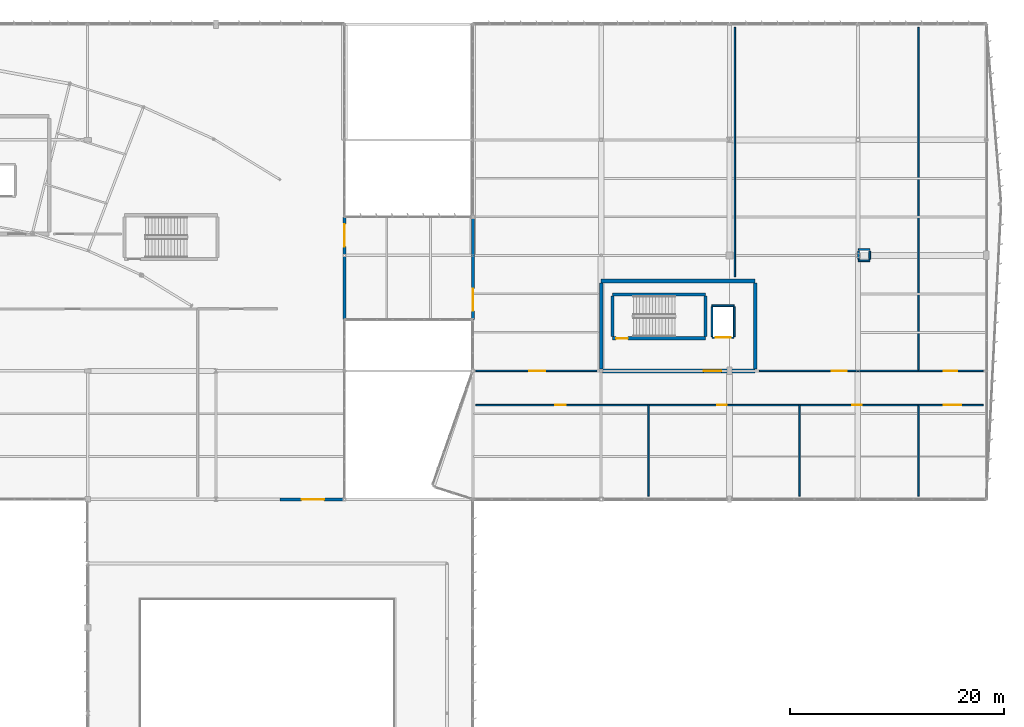
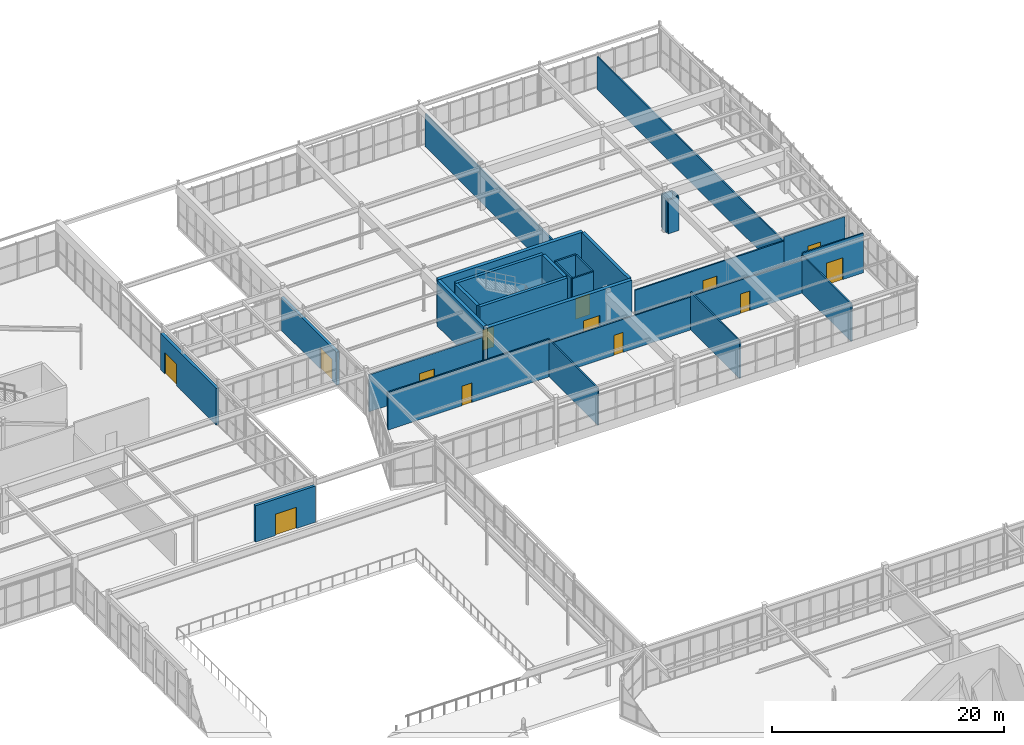
# One storey, part 162 of 186: 31 walls, 13 doors, 13 openings.
"""IFC4 building model written with IfcOpenShell, lengths in metres."""

from ifc_helpers import new_model, si_unit, direction, frame, frame_2d, origin, place, context, subcontext, project, spatial, rectangle, extrude, material, layer, layer_set, type_object, element, fill, save


model = new_model("IFC4")

# Units and contexts
model_context = context("Model", 3, precision=1e-05, world=origin(), true_north=direction((0.0, 1.0)))
body_context = subcontext(model_context, "Body", "Model", "MODEL_VIEW")
ifc_project = project(units=[si_unit("LENGTHUNIT", "METRE"), si_unit("AREAUNIT", "SQUARE_METRE"), si_unit("VOLUMEUNIT", "CUBIC_METRE"), si_unit("PLANEANGLEUNIT", "RADIAN"), si_unit("MASSUNIT", "GRAM", prefix="KILO")], contexts=[model_context])

# Site, building, storey
site_placement = place(None, origin())
site = spatial("IfcSite", under=ifc_project, at=site_placement, CompositionType="ELEMENT")
building_placement = place(site_placement, origin())
building = spatial("IfcBuilding", under=site, at=building_placement, Name="Tarnwether General Hospital", CompositionType="ELEMENT")
storey_placement = place(building_placement, frame((0.0, 0.0, 9.60009765625)))
storey = spatial("IfcBuildingStorey", under=building, at=storey_placement, Name="L02", CompositionType="ELEMENT", Elevation=9.60009765625)

# Wall, opening, door
ifc_material_1 = material(Name="Precast concrete 40 MPa", Category="concrete")
ifc_layer_1 = layer(ifc_material_1, 0.280029296875)
ifc_layer_set_1 = layer_set([ifc_layer_1], Name="Precast concrete 40 MPa")
wall_type_1 = type_object("IfcWallType", Name="WL-EX280", PredefinedType="STANDARD", material=ifc_layer_set_1)
wall_1_placement = place(storey_placement, frame((126.0, 81.60009765625, 0.0), z_axis=(0.0, 0.0, 1.0), x_axis=(1.0, 0.0, 0.0)))
wall_1 = element("IfcWall", 1, at=wall_1_placement, inside=storey, type_object=wall_type_1, Name="L02 Gallery North Link Portal EW-L02-0320", PredefinedType="STANDARD", context=body_context, shape_type="SweptSolid", body=[
    extrude(rectangle(XDim=6.0, YDim=0.280029296875, at=frame_2d((3.0, 0.0))), origin(), (0.0, 0.0, 1.0), 3.827880859375),
])
opening_1_placement = place(wall_1_placement, frame((2.0, 0.0, 0.0)))
opening_1 = element("IfcOpeningElement", 2, at=opening_1_placement, cuts=wall_1, Name="Opening ED-09", PredefinedType="OPENING", context=body_context, shape_type="SweptSolid", body=[
    extrude(rectangle(XDim=2.10009765625, YDim=2.25, at=frame_2d((1.050048828125, 1.125))), frame((0.0, 0.14990234375, 0.0), z_axis=(0.0, -1.0, 0.0), x_axis=(1.0, 0.0, 0.0)), (0.0, 0.0, 1.0), 0.300048828125),
])
ifc_material_2 = material(Name="Anodised aluminium", Category="aluminium")
door_type_1 = type_object("IfcDoorType", Name="DR-HP01", OperationType="NOTDEFINED", PredefinedType="DOOR", material=ifc_material_2)
door_1_placement = place(opening_1_placement, origin())
door_1 = element("IfcDoor", 3, at=door_1_placement, inside=storey, type_object=door_type_1, Name="L02 Gallery to Perioperative Link Door ED-L02-0042", OperationType="DOUBLE_DOOR_SINGLE_SWING", OverallHeight=2.25, OverallWidth=2.10009765625, PredefinedType="DOOR", context=body_context, shape_type="SweptSolid", body=[
    extrude(rectangle(XDim=2.10009765625, YDim=2.25, at=frame_2d((1.050048828125, 1.125))), frame((0.0, 0.02490234375, 0.0), z_axis=(0.0, -1.0, 0.0), x_axis=(1.0, 0.0, 0.0)), (0.0, 0.0, 1.0), 0.050048828125),
])
fill(opening_1, door_1)

wall_2_placement = place(storey_placement, frame((132.0, 108.0, 0.0), z_axis=(0.0, 0.0, 1.0), x_axis=(0.0, -1.0, 0.0)))
wall_2 = element("IfcWall", 4, at=wall_2_placement, inside=storey, type_object=wall_type_1, Name="L02 Bridge West Threshold EW-L02-0323", PredefinedType="STANDARD", context=body_context, shape_type="SweptSolid", body=[
    extrude(rectangle(XDim=9.60009765625, YDim=0.280029296875, at=frame_2d((4.800048828125, 0.0))), origin(), (0.0, 0.0, 1.0), 3.86279296875),
])
opening_2_placement = place(wall_2_placement, frame((0.680908203125, 0.0, 0.0)))
opening_2 = element("IfcOpeningElement", 5, at=opening_2_placement, cuts=wall_2, Name="Opening ED-09", PredefinedType="OPENING", context=body_context, shape_type="SweptSolid", body=[
    extrude(rectangle(XDim=2.10009765625, YDim=2.25, at=frame_2d((1.050048828125, 1.125))), frame((0.0, 0.14990234375, 0.0), z_axis=(0.0, -1.0, 0.0), x_axis=(1.0, 0.0, 0.0)), (0.0, 0.0, 1.0), 0.300048828125),
])
door_2_placement = place(opening_2_placement, origin())
door_2 = element("IfcDoor", 6, at=door_2_placement, inside=storey, type_object=door_type_1, Name="L02 Bridge West Door ED-L02-0045", OperationType="DOUBLE_DOOR_SINGLE_SWING", OverallHeight=2.25, OverallWidth=2.10009765625, PredefinedType="DOOR", context=body_context, shape_type="SweptSolid", body=[
    extrude(rectangle(XDim=2.10009765625, YDim=2.25, at=frame_2d((1.050048828125, 1.125))), frame((0.0, 0.02490234375, 0.0), z_axis=(0.0, -1.0, 0.0), x_axis=(1.0, 0.0, 0.0)), (0.0, 0.0, 1.0), 0.050048828125),
])
fill(opening_2, door_2)

wall_3_placement = place(storey_placement, frame((144.0, 98.39990234375, 0.0), z_axis=(0.0, 0.0, 1.0), x_axis=(0.0, 1.0, 0.0)))
wall_3 = element("IfcWall", 7, at=wall_3_placement, inside=storey, type_object=wall_type_1, Name="L02 Bridge East Threshold EW-L02-0324", PredefinedType="STANDARD", context=body_context, shape_type="SweptSolid", body=[
    extrude(rectangle(XDim=9.60009765625, YDim=0.280029296875, at=frame_2d((4.800048828125, 0.0))), origin(), (0.0, 0.0, 1.0), 3.47998046875),
])
opening_3_placement = place(wall_3_placement, frame((0.800048828125, 0.0, 0.0)))
opening_3 = element("IfcOpeningElement", 8, at=opening_3_placement, cuts=wall_3, Name="Opening ED-09", PredefinedType="OPENING", context=body_context, shape_type="SweptSolid", body=[
    extrude(rectangle(XDim=2.10009765625, YDim=2.25, at=frame_2d((1.050048828125, 1.125))), frame((0.0, 0.14990234375, 0.0), z_axis=(0.0, -1.0, 0.0), x_axis=(1.0, 0.0, 0.0)), (0.0, 0.0, 1.0), 0.300048828125),
])
door_3_placement = place(opening_3_placement, origin())
door_3 = element("IfcDoor", 9, at=door_3_placement, inside=storey, type_object=door_type_1, Name="L02 Bridge East Door ED-L02-0046", OperationType="DOUBLE_DOOR_SINGLE_SWING", OverallHeight=2.25, OverallWidth=2.10009765625, PredefinedType="DOOR", context=body_context, shape_type="SweptSolid", body=[
    extrude(rectangle(XDim=2.10009765625, YDim=2.25, at=frame_2d((1.050048828125, 1.125))), frame((0.0, 0.02490234375, 0.0), z_axis=(0.0, -1.0, 0.0), x_axis=(1.0, 0.0, 0.0)), (0.0, 0.0, 1.0), 0.050048828125),
])
fill(opening_3, door_3)

ifc_material_3 = material(Name="Gypsum plasterboard")
ifc_layer_2 = layer(ifc_material_3, 0.139892578125)
ifc_layer_set_2 = layer_set([ifc_layer_2], Name="Gypsum plasterboard")
wall_type_2 = type_object("IfcWallType", Name="WL-PT140", PredefinedType="PARTITIONING", material=ifc_layer_set_2)
wall_4_placement = place(storey_placement, frame((144.300048828125, 90.39990234375, 0.0), z_axis=(0.0, 0.0, 1.0), x_axis=(1.0, 0.0, 0.0)))
wall_4 = element("IfcWall", 10, at=wall_4_placement, inside=storey, type_object=wall_type_2, Name="Interior Partition PT-L02-0290", PredefinedType="PARTITIONING", context=body_context, shape_type="SweptSolid", body=[
    extrude(rectangle(XDim=16.135986328125, YDim=0.139892578125, at=frame_2d((8.06787109375, 0.0))), origin(), (0.0, 0.0, 1.0), 3.972900390625),
])
opening_4_placement = place(wall_4_placement, frame((7.41796875, 0.0, 0.0)))
opening_4 = element("IfcOpeningElement", 11, at=opening_4_placement, cuts=wall_4, Name="Opening D-10", PredefinedType="OPENING", context=body_context, shape_type="SweptSolid", body=[
    extrude(rectangle(XDim=0.9599609375, YDim=2.06005859375, at=frame_2d((0.47998046875, 1.030029296875))), frame((0.0, 0.080078125, 0.0), z_axis=(0.0, -1.0, 0.0), x_axis=(1.0, 0.0, 0.0)), (0.0, 0.0, 1.0), 0.159912109375),
])
ifc_material_4 = material(Name="Anodised aluminium", Category="aluminium")
door_type_2 = type_object("IfcDoorType", Name="DR-IN10", OperationType="NOTDEFINED", PredefinedType="DOOR", material=ifc_material_4)
door_4_placement = place(opening_4_placement, origin())
door_4 = element("IfcDoor", 12, at=door_4_placement, inside=storey, type_object=door_type_2, Name="Interior Door DR-L02-0161", OperationType="SINGLE_SWING_LEFT", OverallHeight=2.06005859375, OverallWidth=0.9599609375, PredefinedType="DOOR", context=body_context, shape_type="SweptSolid", body=[
    extrude(rectangle(XDim=0.9599609375, YDim=2.06005859375, at=frame_2d((0.47998046875, 1.030029296875))), frame((0.0, 0.02490234375, 0.0), z_axis=(0.0, -1.0, 0.0), x_axis=(1.0, 0.0, 0.0)), (0.0, 0.0, 1.0), 0.050048828125),
])
fill(opening_4, door_4)

# Wall
wall_5_placement = place(storey_placement, frame((160.43603515625, 81.89990234375, 0.0), z_axis=(0.0, 0.0, 1.0), x_axis=(0.0, 1.0, 0.0)))
element("IfcWall", 13, at=wall_5_placement, inside=storey, type_object=wall_type_2, Name="Interior Partition PT-L02-0291", PredefinedType="PARTITIONING", context=body_context, shape_type="SweptSolid", body=[
    extrude(rectangle(XDim=8.5, YDim=0.139892578125, at=frame_2d((4.25, 0.0))), origin(), (0.0, 0.0, 1.0), 3.90185546875),
])

# Wall, opening, door
wall_6_placement = place(storey_placement, frame((160.43603515625, 90.39990234375, 0.0), z_axis=(0.0, 0.0, 1.0), x_axis=(1.0, 0.0, 0.0)))
wall_6 = element("IfcWall", 14, at=wall_6_placement, inside=storey, type_object=wall_type_2, Name="Interior Partition PT-L02-0292", PredefinedType="PARTITIONING", context=body_context, shape_type="SweptSolid", body=[
    extrude(rectangle(XDim=14.118896484375, YDim=0.139892578125, at=frame_2d((7.0595703125, 0.0))), origin(), (0.0, 0.0, 1.0), 3.47998046875),
])
opening_5_placement = place(wall_6_placement, frame((6.409912109375, 0.0, 0.0)))
opening_5 = element("IfcOpeningElement", 15, at=opening_5_placement, cuts=wall_6, Name="Opening D-11", PredefinedType="OPENING", context=body_context, shape_type="SweptSolid", body=[
    extrude(rectangle(XDim=0.89990234375, YDim=2.10009765625, at=frame_2d((0.449951171875, 1.050048828125))), frame((0.0, 0.080078125, 0.0), z_axis=(0.0, -1.0, 0.0), x_axis=(1.0, 0.0, 0.0)), (0.0, 0.0, 1.0), 0.159912109375),
])
ifc_material_5 = material(Name="Anodised aluminium", Category="aluminium")
door_type_3 = type_object("IfcDoorType", Name="DR-IN11", OperationType="NOTDEFINED", PredefinedType="DOOR", material=ifc_material_5)
door_5_placement = place(opening_5_placement, origin())
door_5 = element("IfcDoor", 16, at=door_5_placement, inside=storey, type_object=door_type_3, Name="Interior Door DR-L02-0162", OperationType="SINGLE_SWING_RIGHT", OverallHeight=2.10009765625, OverallWidth=0.89990234375, PredefinedType="DOOR", context=body_context, shape_type="SweptSolid", body=[
    extrude(rectangle(XDim=0.89990234375, YDim=2.10009765625, at=frame_2d((0.449951171875, 1.050048828125))), frame((0.0, 0.02490234375, 0.0), z_axis=(0.0, -1.0, 0.0), x_axis=(1.0, 0.0, 0.0)), (0.0, 0.0, 1.0), 0.050048828125),
])
fill(opening_5, door_5)

# Wall
wall_7_placement = place(storey_placement, frame((174.554931640625, 81.89990234375, 0.0), z_axis=(0.0, 0.0, 1.0), x_axis=(0.0, 1.0, 0.0)))
element("IfcWall", 17, at=wall_7_placement, inside=storey, type_object=wall_type_2, Name="Interior Partition PT-L02-0293", PredefinedType="PARTITIONING", context=body_context, shape_type="SweptSolid", body=[
    extrude(rectangle(XDim=8.5, YDim=0.139892578125, at=frame_2d((4.25, 0.0))), origin(), (0.0, 0.0, 1.0), 3.96484375),
])

# Wall, opening, door
wall_8_placement = place(storey_placement, frame((174.554931640625, 90.39990234375, 0.0), z_axis=(0.0, 0.0, 1.0), x_axis=(1.0, 0.0, 0.0)))
wall_8 = element("IfcWall", 18, at=wall_8_placement, inside=storey, type_object=wall_type_2, Name="Interior Partition PT-L02-0294", PredefinedType="PARTITIONING", context=body_context, shape_type="SweptSolid", body=[
    extrude(rectangle(XDim=11.093994140625, YDim=0.139892578125, at=frame_2d((5.546875, 0.0))), origin(), (0.0, 0.0, 1.0), 3.52490234375),
])
opening_6_placement = place(wall_8_placement, frame((4.89697265625, 0.0, 0.0)))
opening_6 = element("IfcOpeningElement", 19, at=opening_6_placement, cuts=wall_8, Name="Opening D-12", PredefinedType="OPENING", context=body_context, shape_type="SweptSolid", body=[
    extrude(rectangle(XDim=0.919921875, YDim=2.0400390625, at=frame_2d((0.4599609375, 1.02001953125))), frame((0.0, 0.080078125, 0.0), z_axis=(0.0, -1.0, 0.0), x_axis=(1.0, 0.0, 0.0)), (0.0, 0.0, 1.0), 0.159912109375),
])
ifc_material_6 = material(Name="Anodised aluminium", Category="aluminium")
door_type_4 = type_object("IfcDoorType", Name="DR-IN12", OperationType="NOTDEFINED", PredefinedType="DOOR", material=ifc_material_6)
door_6_placement = place(opening_6_placement, origin())
door_6 = element("IfcDoor", 20, at=door_6_placement, inside=storey, type_object=door_type_4, Name="Interior Door DR-L02-0163", OperationType="SINGLE_SWING_LEFT", OverallHeight=2.0400390625, OverallWidth=0.919921875, PredefinedType="DOOR", context=body_context, shape_type="SweptSolid", body=[
    extrude(rectangle(XDim=0.919921875, YDim=2.0400390625, at=frame_2d((0.4599609375, 1.02001953125))), frame((0.0, 0.02490234375, 0.0), z_axis=(0.0, -1.0, 0.0), x_axis=(1.0, 0.0, 0.0)), (0.0, 0.0, 1.0), 0.050048828125),
])
fill(opening_6, door_6)

# Wall
wall_9_placement = place(storey_placement, frame((185.64892578125, 81.89990234375, 0.0), z_axis=(0.0, 0.0, 1.0), x_axis=(0.0, 1.0, 0.0)))
element("IfcWall", 21, at=wall_9_placement, inside=storey, type_object=wall_type_2, Name="Interior Partition PT-L02-0295", PredefinedType="PARTITIONING", context=body_context, shape_type="SweptSolid", body=[
    extrude(rectangle(XDim=8.5, YDim=0.139892578125, at=frame_2d((4.25, 0.0))), origin(), (0.0, 0.0, 1.0), 3.968017578125),
])

# Wall, opening, door
wall_10_placement = place(storey_placement, frame((185.64892578125, 90.39990234375, 0.0), z_axis=(0.0, 0.0, 1.0), x_axis=(1.0, 0.0, 0.0)))
wall_10 = element("IfcWall", 22, at=wall_10_placement, inside=storey, type_object=wall_type_2, Name="Interior Partition PT-L02-0296", PredefinedType="PARTITIONING", context=body_context, shape_type="SweptSolid", body=[
    extrude(rectangle(XDim=6.051025390625, YDim=0.139892578125, at=frame_2d((3.025390625, 0.0))), origin(), (0.0, 0.0, 1.0), 4.1748046875),
])
opening_7_placement = place(wall_10_placement, frame((2.3759765625, 0.0, 0.0)))
opening_7 = element("IfcOpeningElement", 23, at=opening_7_placement, cuts=wall_10, Name="Opening SD-02", PredefinedType="OPENING", context=body_context, shape_type="SweptSolid", body=[
    extrude(rectangle(XDim=1.6201171875, YDim=2.300048828125, at=frame_2d((0.81005859375, 1.14990234375))), frame((0.0, 0.080078125, 0.0), z_axis=(0.0, -1.0, 0.0), x_axis=(1.0, 0.0, 0.0)), (0.0, 0.0, 1.0), 0.159912109375),
])
ifc_material_7 = material(Name="Anodised aluminium", Category="aluminium")
door_type_5 = type_object("IfcDoorType", Name="DR-OR02", OperationType="NOTDEFINED", PredefinedType="DOOR", material=ifc_material_7)
door_7_placement = place(opening_7_placement, origin())
door_7 = element("IfcDoor", 24, at=door_7_placement, inside=storey, type_object=door_type_5, Name="Interior Door DR-L02-0164", OperationType="SLIDING_TO_RIGHT", OverallHeight=2.300048828125, OverallWidth=1.6201171875, PredefinedType="DOOR", context=body_context, shape_type="SweptSolid", body=[
    extrude(rectangle(XDim=1.6201171875, YDim=2.300048828125, at=frame_2d((0.81005859375, 1.14990234375))), frame((0.0, 0.02490234375, 0.0), z_axis=(0.0, -1.0, 0.0), x_axis=(1.0, 0.0, 0.0)), (0.0, 0.0, 1.0), 0.050048828125),
])
fill(opening_7, door_7)

wall_11_placement = place(storey_placement, frame((144.300048828125, 93.60009765625, 0.0), z_axis=(0.0, 0.0, 1.0), x_axis=(1.0, 0.0, 0.0)))
wall_11 = element("IfcWall", 25, at=wall_11_placement, inside=storey, type_object=wall_type_2, Name="Interior Partition PT-L02-0297", PredefinedType="PARTITIONING", context=body_context, shape_type="SweptSolid", body=[
    extrude(rectangle(XDim=11.300048828125, YDim=0.139892578125, at=frame_2d((5.64990234375, 0.0))), origin(), (0.0, 0.0, 1.0), 3.89697265625),
])
opening_8_placement = place(wall_11_placement, frame((5.0, 0.0, 0.0)))
opening_8 = element("IfcOpeningElement", 26, at=opening_8_placement, cuts=wall_11, Name="Opening SD-03", PredefinedType="OPENING", context=body_context, shape_type="SweptSolid", body=[
    extrude(rectangle(XDim=1.47998046875, YDim=2.260009765625, at=frame_2d((0.739990234375, 1.1298828125))), frame((0.0, 0.080078125, 0.0), z_axis=(0.0, -1.0, 0.0), x_axis=(1.0, 0.0, 0.0)), (0.0, 0.0, 1.0), 0.159912109375),
])
ifc_material_8 = material(Name="Anodised aluminium", Category="aluminium")
door_type_6 = type_object("IfcDoorType", Name="DR-OR03", OperationType="NOTDEFINED", PredefinedType="DOOR", material=ifc_material_8)
door_8_placement = place(opening_8_placement, origin())
door_8 = element("IfcDoor", 27, at=door_8_placement, inside=storey, type_object=door_type_6, Name="Interior Door DR-L02-0165", OperationType="SLIDING_TO_LEFT", OverallHeight=2.260009765625, OverallWidth=1.47998046875, PredefinedType="DOOR", context=body_context, shape_type="SweptSolid", body=[
    extrude(rectangle(XDim=1.47998046875, YDim=2.260009765625, at=frame_2d((0.739990234375, 1.1298828125))), frame((0.0, 0.02490234375, 0.0), z_axis=(0.0, -1.0, 0.0), x_axis=(1.0, 0.0, 0.0)), (0.0, 0.0, 1.0), 0.050048828125),
])
fill(opening_8, door_8)

# Wall
wall_12_placement = place(storey_placement, frame((168.50390625, 102.39990234375, 0.0), z_axis=(0.0, 0.0, 1.0), x_axis=(0.0, 1.0, 0.0)))
element("IfcWall", 28, at=wall_12_placement, inside=storey, type_object=wall_type_2, Name="Interior Partition PT-L02-0298", PredefinedType="PARTITIONING", context=body_context, shape_type="SweptSolid", body=[
    extrude(rectangle(XDim=23.300048828125, YDim=0.139892578125, at=frame_2d((11.64990234375, 0.0))), origin(), (0.0, 0.0, 1.0), 3.474853515625),
])

# Wall, opening, door
wall_13_placement = place(storey_placement, frame((170.800048828125, 93.60009765625, 0.0), z_axis=(0.0, 0.0, 1.0), x_axis=(1.0, 0.0, 0.0)))
wall_13 = element("IfcWall", 29, at=wall_13_placement, inside=storey, type_object=wall_type_2, Name="Interior Partition PT-L02-0299", PredefinedType="PARTITIONING", context=body_context, shape_type="SweptSolid", body=[
    extrude(rectangle(XDim=14.848876953125, YDim=0.139892578125, at=frame_2d((7.42431640625, 0.0))), origin(), (0.0, 0.0, 1.0), 3.52490234375),
])
opening_9_placement = place(wall_13_placement, frame((6.77392578125, 0.0, 0.0)))
opening_9 = element("IfcOpeningElement", 30, at=opening_9_placement, cuts=wall_13, Name="Opening D-02", PredefinedType="OPENING", context=body_context, shape_type="SweptSolid", body=[
    extrude(rectangle(XDim=1.360107421875, YDim=2.179931640625, at=frame_2d((0.68017578125, 1.08984375))), frame((0.0, 0.080078125, 0.0), z_axis=(0.0, -1.0, 0.0), x_axis=(1.0, 0.0, 0.0)), (0.0, 0.0, 1.0), 0.159912109375),
])
ifc_material_9 = material(Name="Anodised aluminium", Category="aluminium")
door_type_7 = type_object("IfcDoorType", Name="DR-IN02", OperationType="NOTDEFINED", PredefinedType="DOOR", material=ifc_material_9)
door_9_placement = place(opening_9_placement, origin())
door_9 = element("IfcDoor", 31, at=door_9_placement, inside=storey, type_object=door_type_7, Name="Interior Door DR-L02-0166", OperationType="SINGLE_SWING_RIGHT", OverallHeight=2.179931640625, OverallWidth=1.360107421875, PredefinedType="DOOR", context=body_context, shape_type="SweptSolid", body=[
    extrude(rectangle(XDim=1.360107421875, YDim=2.179931640625, at=frame_2d((0.68017578125, 1.08984375))), frame((0.0, 0.02490234375, 0.0), z_axis=(0.0, -1.0, 0.0), x_axis=(1.0, 0.0, 0.0)), (0.0, 0.0, 1.0), 0.050048828125),
])
fill(opening_9, door_9)

# Wall
wall_14_placement = place(storey_placement, frame((185.64892578125, 93.60009765625, 0.0), z_axis=(0.0, 0.0, 1.0), x_axis=(0.0, 1.0, 0.0)))
element("IfcWall", 32, at=wall_14_placement, inside=storey, type_object=wall_type_2, Name="Interior Partition PT-L02-0300", PredefinedType="PARTITIONING", context=body_context, shape_type="SweptSolid", body=[
    extrude(rectangle(XDim=32.099853515625, YDim=0.139892578125, at=frame_2d((16.0498046875, 0.0))), origin(), (0.0, 0.0, 1.0), 3.474853515625),
])

# Wall, opening, door
wall_15_placement = place(storey_placement, frame((185.64892578125, 93.60009765625, 0.0), z_axis=(0.0, 0.0, 1.0), x_axis=(1.0, 0.0, 0.0)))
wall_15 = element("IfcWall", 33, at=wall_15_placement, inside=storey, type_object=wall_type_2, Name="Interior Partition PT-L02-0301", PredefinedType="PARTITIONING", context=body_context, shape_type="SweptSolid", body=[
    extrude(rectangle(XDim=6.051025390625, YDim=0.139892578125, at=frame_2d((3.025390625, 0.0))), origin(), (0.0, 0.0, 1.0), 3.970947265625),
])
opening_10_placement = place(wall_15_placement, frame((2.3759765625, 0.0, 0.0)))
opening_10 = element("IfcOpeningElement", 34, at=opening_10_placement, cuts=wall_15, Name="Opening D-04", PredefinedType="OPENING", context=body_context, shape_type="SweptSolid", body=[
    extrude(rectangle(XDim=1.260009765625, YDim=2.139892578125, at=frame_2d((0.6298828125, 1.06982421875))), frame((0.0, 0.080078125, 0.0), z_axis=(0.0, -1.0, 0.0), x_axis=(1.0, 0.0, 0.0)), (0.0, 0.0, 1.0), 0.159912109375),
])
ifc_material_10 = material(Name="Anodised aluminium", Category="aluminium")
door_type_8 = type_object("IfcDoorType", Name="DR-IN04", OperationType="NOTDEFINED", PredefinedType="DOOR", material=ifc_material_10)
door_10_placement = place(opening_10_placement, origin())
door_10 = element("IfcDoor", 35, at=door_10_placement, inside=storey, type_object=door_type_8, Name="Interior Door DR-L02-0167", OperationType="SINGLE_SWING_LEFT", OverallHeight=2.139892578125, OverallWidth=1.260009765625, PredefinedType="DOOR", context=body_context, shape_type="SweptSolid", body=[
    extrude(rectangle(XDim=1.260009765625, YDim=2.139892578125, at=frame_2d((0.6298828125, 1.06982421875))), frame((0.0, 0.02490234375, 0.0), z_axis=(0.0, -1.0, 0.0), x_axis=(1.0, 0.0, 0.0)), (0.0, 0.0, 1.0), 0.050048828125),
])
fill(opening_10, door_10)

# Walls
ifc_material_11 = material(Name="Gypsum plasterboard")
ifc_layer_3 = layer(ifc_material_11, 0.159912109375)
ifc_layer_set_3 = layer_set([ifc_layer_3], Name="Gypsum plasterboard")
wall_type_3 = type_object("IfcWallType", Name="WL-PT160", PredefinedType="PARTITIONING", material=ifc_layer_set_3)
for number, where, z_axis, x_axis, name in (
    (36, (180.050048828125, 103.889892578125, 0.0), (0.0, 0.0, 1.0), (1.0, 0.0, 0.0), "Service Riser Enclosure SL-L02-V6N2 S"),
    (37, (181.110107421875, 104.949951171875, 0.0), (0.0, 0.0, 1.0), (-1.0, 0.0, 0.0), "Service Riser Enclosure SL-L02-V6N2 N"),
):
    element("IfcWall", number, at=place(storey_placement, frame(where, z_axis=z_axis, x_axis=x_axis)), inside=storey, type_object=wall_type_3, Name=name, PredefinedType="PARTITIONING", context=body_context, shape_type="SweptSolid", body=[
        extrude(rectangle(XDim=1.06005859375, YDim=0.159912109375, at=frame_2d((0.530029296875, 0.0))), origin(), (0.0, 0.0, 1.0), 3.5498046875),
    ])
for number, where, z_axis, x_axis, name in (
    (38, (180.050048828125, 104.7900390625, 0.0), (0.0, 0.0, 1.0), (0.0, -1.0, 0.0), "Service Riser Enclosure SL-L02-V6N2 W"),
    (39, (181.110107421875, 104.050048828125, 0.0), (0.0, 0.0, 1.0), (0.0, 1.0, 0.0), "Service Riser Enclosure SL-L02-V6N2 E"),
):
    element("IfcWall", number, at=place(storey_placement, frame(where, z_axis=z_axis, x_axis=x_axis)), inside=storey, type_object=wall_type_3, Name=name, PredefinedType="PARTITIONING", context=body_context, shape_type="SweptSolid", body=[
        extrude(rectangle(XDim=0.739990234375, YDim=0.159912109375, at=frame_2d((0.3701171875, 0.0))), origin(), (0.0, 0.0, 1.0), 3.5498046875),
    ])

# Wall, opening, door
wall_16_placement = place(storey_placement, frame((166.360107421875, 96.7099609375, 0.0), z_axis=(0.0, 0.0, 1.0), x_axis=(1.0, 0.0, 0.0)))
wall_16 = element("IfcWall", 40, at=wall_16_placement, inside=storey, type_object=wall_type_3, Name="Lift L-06 Shaft Wall LSH-L-06-L02-S", PredefinedType="PARTITIONING", context=body_context, shape_type="SweptSolid", body=[
    extrude(rectangle(XDim=2.079833984375, YDim=0.159912109375, at=frame_2d((1.0400390625, 0.0))), origin(), (0.0, 0.0, 1.0), 4.429931640625),
])
opening_11_placement = place(wall_16_placement, frame((0.340087890625, 0.0, 0.0)))
opening_11 = element("IfcOpeningElement", 41, at=opening_11_placement, cuts=wall_16, Name="Opening LD-01", PredefinedType="OPENING", context=body_context, shape_type="SweptSolid", body=[
    extrude(rectangle(XDim=1.39990234375, YDim=2.199951171875, at=frame_2d((0.699951171875, 1.10009765625))), frame((0.0, 0.08984375, 0.0), z_axis=(0.0, -1.0, 0.0), x_axis=(1.0, 0.0, 0.0)), (0.0, 0.0, 1.0), 0.179931640625),
])
ifc_material_12 = material(Name="Anodised aluminium", Category="aluminium")
door_type_9 = type_object("IfcDoorType", Name="DR-LD01", OperationType="NOTDEFINED", PredefinedType="DOOR", material=ifc_material_12)
door_11_placement = place(opening_11_placement, origin())
door_11 = element("IfcDoor", 42, at=door_11_placement, inside=storey, type_object=door_type_9, Name="Lift L-06 Sliding Landing Door L02", OperationType="SLIDING_TO_LEFT", OverallHeight=2.199951171875, OverallWidth=1.39990234375, PredefinedType="DOOR", context=body_context, shape_type="SweptSolid", body=[
    extrude(rectangle(XDim=1.39990234375, YDim=2.199951171875, at=frame_2d((0.699951171875, 1.10009765625))), frame((0.0, 0.02490234375, 0.0), z_axis=(0.0, -1.0, 0.0), x_axis=(1.0, 0.0, 0.0)), (0.0, 0.0, 1.0), 0.050048828125),
])
fill(opening_11, door_11)

# Walls
wall_17_placement = place(storey_placement, frame((168.43994140625, 99.68994140625, 0.0), z_axis=(0.0, 0.0, 1.0), x_axis=(-1.0, 0.0, 0.0)))
element("IfcWall", 43, at=wall_17_placement, inside=storey, type_object=wall_type_3, Name="Lift L-06 Shaft Wall LSH-L-06-L02-N", PredefinedType="PARTITIONING", context=body_context, shape_type="SweptSolid", body=[
    extrude(rectangle(XDim=2.079833984375, YDim=0.159912109375, at=frame_2d((1.0400390625, 0.0))), origin(), (0.0, 0.0, 1.0), 4.429931640625),
])
for number, where, z_axis, x_axis, name in (
    (44, (166.360107421875, 99.590087890625, 0.0), (0.0, 0.0, 1.0), (0.0, -1.0, 0.0), "Lift L-06 Shaft Wall LSH-L-06-L02-W"),
    (45, (168.43994140625, 96.81005859375, 0.0), (0.0, 0.0, 1.0), (0.0, 1.0, 0.0), "Lift L-06 Shaft Wall LSH-L-06-L02-E"),
):
    element("IfcWall", number, at=place(storey_placement, frame(where, z_axis=z_axis, x_axis=x_axis)), inside=storey, type_object=wall_type_3, Name=name, PredefinedType="PARTITIONING", context=body_context, shape_type="SweptSolid", body=[
        extrude(rectangle(XDim=2.780029296875, YDim=0.159912109375, at=frame_2d((1.39013671875, 0.0))), origin(), (0.0, 0.0, 1.0), 4.429931640625),
    ])
ifc_material_13 = material(Name="Concrete 50 MPa", Category="concrete")
ifc_layer_4 = layer(ifc_material_13, 0.300048828125)
ifc_layer_set_4 = layer_set([ifc_layer_4], Name="Concrete 50 MPa")
wall_type_4 = type_object("IfcWallType", Name="WL-SW300", PredefinedType="SHEAR", material=ifc_layer_set_4)
wall_18_placement = place(storey_placement, frame((170.39990234375, 101.800048828125, 0.0), z_axis=(0.0, 0.0, 1.0), x_axis=(0.0, -1.0, 0.0)))
element("IfcWall", 46, at=wall_18_placement, inside=storey, type_object=wall_type_4, Name="Core Shear Wall CWALL-K6-L02-E", PredefinedType="SHEAR", context=body_context, shape_type="SweptSolid", body=[
    extrude(rectangle(XDim=8.0, YDim=0.300048828125, at=frame_2d((4.0, 0.0))), origin(), (0.0, 0.0, 1.0), 4.7998046875),
])

# Wall, opening, door
wall_19_placement = place(storey_placement, frame((157.050048828125, 96.64990234375, 0.0), z_axis=(0.0, 0.0, 1.0), x_axis=(1.0, 0.0, 0.0)))
wall_19 = element("IfcWall", 47, at=wall_19_placement, inside=storey, type_object=wall_type_4, Name="Stairwell Shear Wall STW-ST-06-L02-B", PredefinedType="SHEAR", context=body_context, shape_type="SweptSolid", body=[
    extrude(rectangle(XDim=8.699951171875, YDim=0.300048828125, at=frame_2d((4.35009765625, 0.0))), origin(), (0.0, 0.0, 1.0), 4.7998046875),
])
opening_12_placement = place(wall_19_placement, frame((0.35009765625, 0.0, 0.0)))
opening_12 = element("IfcOpeningElement", 48, at=opening_12_placement, cuts=wall_19, Name="Opening FD-06", PredefinedType="OPENING", context=body_context, shape_type="SweptSolid", body=[
    extrude(rectangle(XDim=1.10009765625, YDim=2.14990234375, at=frame_2d((0.550048828125, 1.074951171875))), frame((0.0, 0.16015625, 0.0), z_axis=(0.0, -1.0, 0.0), x_axis=(1.0, 0.0, 0.0)), (0.0, 0.0, 1.0), 0.320068359375),
])
ifc_material_14 = material(Name="Anodised aluminium", Category="aluminium")
door_type_10 = type_object("IfcDoorType", Name="DR-FD06", OperationType="NOTDEFINED", PredefinedType="DOOR", material=ifc_material_14)
door_12_placement = place(opening_12_placement, origin())
door_12 = element("IfcDoor", 49, at=door_12_placement, inside=storey, type_object=door_type_10, Name="Stairwell ST-06 Safe-Path Fire Door L02", OperationType="SINGLE_SWING_RIGHT", OverallHeight=2.14990234375, OverallWidth=1.10009765625, PredefinedType="DOOR", context=body_context, shape_type="SweptSolid", body=[
    extrude(rectangle(XDim=1.10009765625, YDim=2.14990234375, at=frame_2d((0.550048828125, 1.074951171875))), frame((0.0, 0.02490234375, 0.0), z_axis=(0.0, -1.0, 0.0), x_axis=(1.0, 0.0, 0.0)), (0.0, 0.0, 1.0), 0.050048828125),
])
fill(opening_12, door_12)

# Walls
wall_20_placement = place(storey_placement, frame((165.75, 100.75, 0.0), z_axis=(0.0, 0.0, 1.0), x_axis=(-1.0, 0.0, 0.0)))
element("IfcWall", 50, at=wall_20_placement, inside=storey, type_object=wall_type_4, Name="Stairwell Shear Wall STW-ST-06-L02-N", PredefinedType="SHEAR", context=body_context, shape_type="SweptSolid", body=[
    extrude(rectangle(XDim=8.699951171875, YDim=0.300048828125, at=frame_2d((4.35009765625, 0.0))), origin(), (0.0, 0.0, 1.0), 4.7998046875),
])
for number, where, z_axis, x_axis, name in (
    (51, (157.050048828125, 96.820068359375, 0.0), (0.0, 0.0, 1.0), (0.0, 1.0, 0.0), "Stairwell Shear Wall STW-ST-06-L02-L"),
    (52, (165.75, 96.820068359375, 0.0), (0.0, 0.0, 1.0), (0.0, 1.0, 0.0), "Stairwell Shear Wall STW-ST-06-L02-F"),
):
    element("IfcWall", number, at=place(storey_placement, frame(where, z_axis=z_axis, x_axis=x_axis)), inside=storey, type_object=wall_type_4, Name=name, PredefinedType="SHEAR", context=body_context, shape_type="SweptSolid", body=[
        extrude(rectangle(XDim=3.760009765625, YDim=0.300048828125, at=frame_2d((1.8798828125, 0.0))), origin(), (0.0, 0.0, 1.0), 4.7998046875),
    ])
ifc_material_15 = material(Name="Concrete 50 MPa", Category="concrete")
ifc_layer_5 = layer(ifc_material_15, 0.35009765625)
ifc_layer_set_5 = layer_set([ifc_layer_5], Name="Concrete 50 MPa")
wall_type_5 = type_object("IfcWallType", Name="WL-SW350", PredefinedType="SHEAR", material=ifc_layer_set_5)
wall_21_placement = place(storey_placement, frame((156.0, 102.0, 0.0), z_axis=(0.0, 0.0, 1.0), x_axis=(1.0, 0.0, 0.0)))
element("IfcWall", 53, at=wall_21_placement, inside=storey, type_object=wall_type_5, Name="Core Shear Wall CWALL-K6-L02-N", PredefinedType="SHEAR", context=body_context, shape_type="SweptSolid", body=[
    extrude(rectangle(XDim=14.39990234375, YDim=0.35009765625, at=frame_2d((7.199951171875, 0.0))), origin(), (0.0, 0.0, 1.0), 4.7998046875),
])

# Wall, opening, door
wall_22_placement = place(storey_placement, frame((170.39990234375, 93.60009765625, 0.0), z_axis=(0.0, 0.0, 1.0), x_axis=(-1.0, 0.0, 0.0)))
wall_22 = element("IfcWall", 54, at=wall_22_placement, inside=storey, type_object=wall_type_5, Name="Core Shear Wall CWALL-K6-L02-S", PredefinedType="SHEAR", context=body_context, shape_type="SweptSolid", body=[
    extrude(rectangle(XDim=14.39990234375, YDim=0.35009765625, at=frame_2d((7.199951171875, 0.0))), origin(), (0.0, 0.0, 1.0), 4.7998046875),
])
opening_13_placement = place(wall_22_placement, frame((3.172119140625, 0.0, 0.0)))
opening_13 = element("IfcOpeningElement", 55, at=opening_13_placement, cuts=wall_22, Name="Opening FD-01", PredefinedType="OPENING", context=body_context, shape_type="SweptSolid", body=[
    extrude(rectangle(XDim=1.639892578125, YDim=2.199951171875, at=frame_2d((0.81982421875, 1.10009765625))), frame((0.0, 0.18505859375, 0.0), z_axis=(0.0, -1.0, 0.0), x_axis=(1.0, 0.0, 0.0)), (0.0, 0.0, 1.0), 0.3701171875),
])
ifc_material_16 = material(Name="Anodised aluminium", Category="aluminium")
door_type_11 = type_object("IfcDoorType", Name="DR-FD01", OperationType="NOTDEFINED", PredefinedType="DOOR", material=ifc_material_16)
door_13_placement = place(opening_13_placement, origin())
door_13 = element("IfcDoor", 56, at=door_13_placement, inside=storey, type_object=door_type_11, Name="Core K6 Lobby Fire Door L02", OperationType="DOUBLE_DOOR_SINGLE_SWING", OverallHeight=2.199951171875, OverallWidth=1.639892578125, PredefinedType="DOOR", context=body_context, shape_type="SweptSolid", body=[
    extrude(rectangle(XDim=1.639892578125, YDim=2.199951171875, at=frame_2d((0.81982421875, 1.10009765625))), frame((0.0, 0.02490234375, 0.0), z_axis=(0.0, -1.0, 0.0), x_axis=(1.0, 0.0, 0.0)), (0.0, 0.0, 1.0), 0.050048828125),
])
fill(opening_13, door_13)

# Wall
wall_23_placement = place(storey_placement, frame((156.0, 93.800048828125, 0.0), z_axis=(0.0, 0.0, 1.0), x_axis=(0.0, 1.0, 0.0)))
element("IfcWall", 57, at=wall_23_placement, inside=storey, type_object=wall_type_5, Name="Core Shear Wall CWALL-K6-L02-W", PredefinedType="SHEAR", context=body_context, shape_type="SweptSolid", body=[
    extrude(rectangle(XDim=8.0, YDim=0.35009765625, at=frame_2d((4.0, 0.0))), origin(), (0.0, 0.0, 1.0), 4.7998046875),
])

save(model, "model.ifc")
